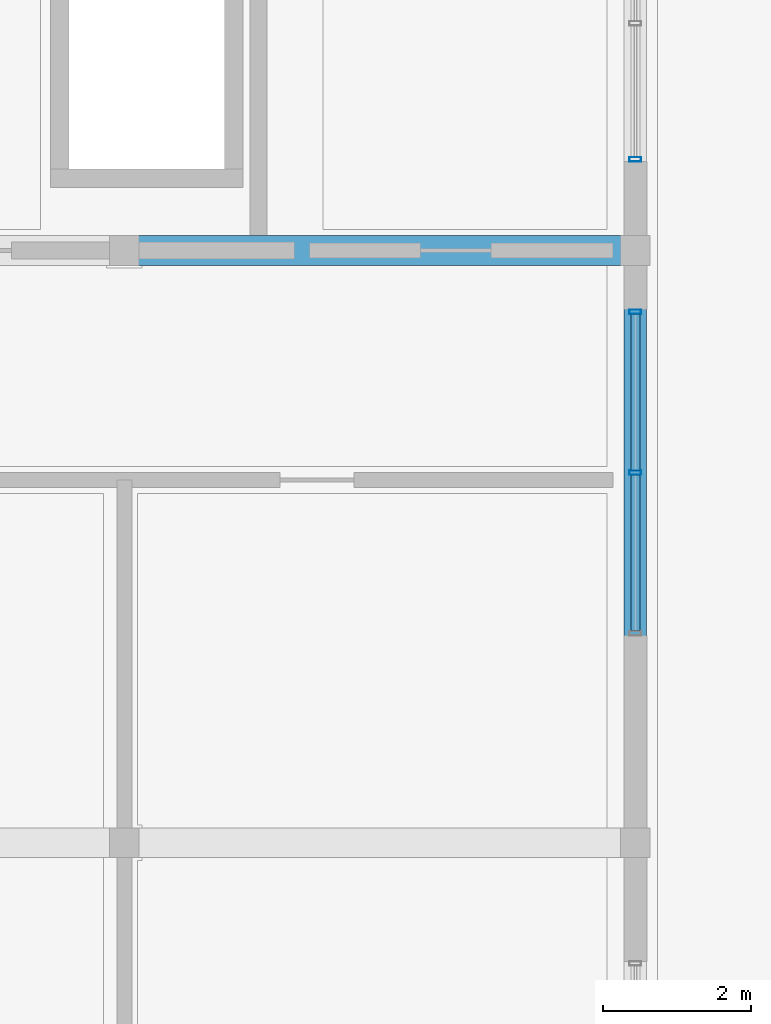
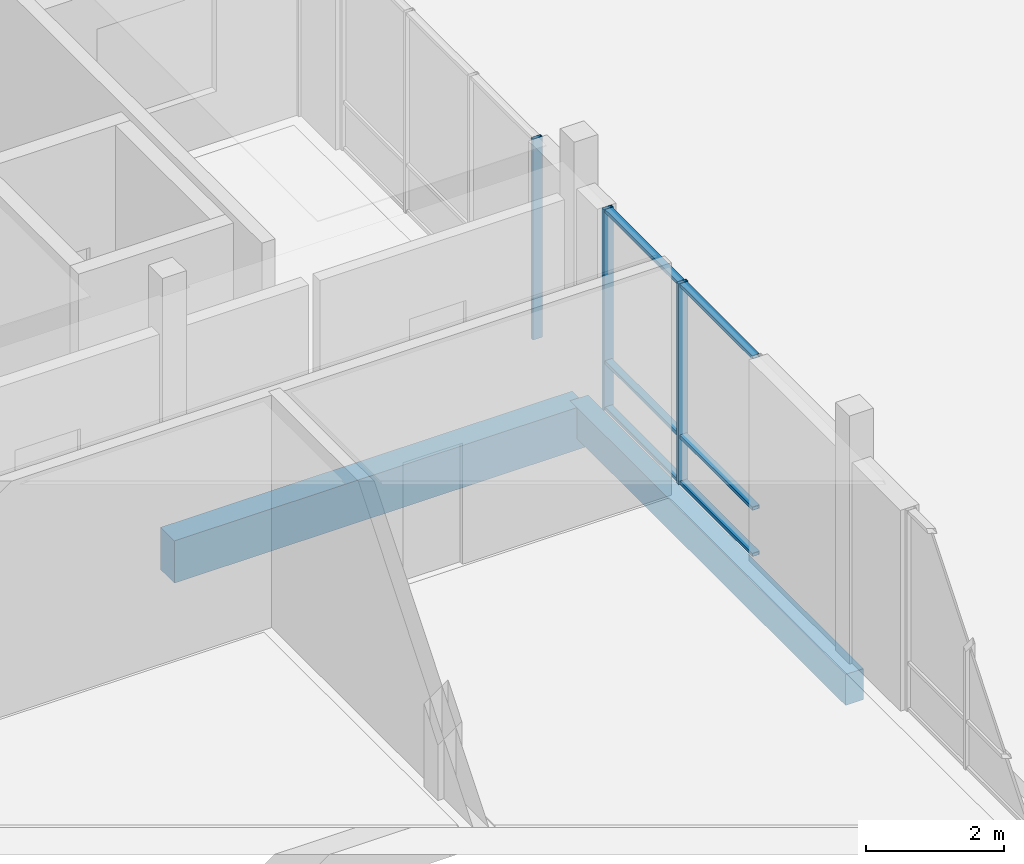
# One storey, part 88 of 233: 9 members, 2 beams, 2 elements without a shape of their own.
"""IFC4 building model written with IfcOpenShell, lengths in metres."""

from ifc_helpers import new_model, si_unit, direction, frame, origin, origin_2d, place, context, subcontext, project, spatial, rectangle, hollow_rectangle, extrude, material, material_profile, profile_set, type_object, element, aggregate, save


model = new_model("IFC4")

# Units and contexts
model_context = context("Model", 3, precision=1e-05, world=origin(), true_north=direction((0.0, 1.0)))
body_context = subcontext(model_context, "Body", "Model", "MODEL_VIEW")
ifc_project = project(units=[si_unit("LENGTHUNIT", "METRE"), si_unit("AREAUNIT", "SQUARE_METRE"), si_unit("VOLUMEUNIT", "CUBIC_METRE"), si_unit("PLANEANGLEUNIT", "RADIAN"), si_unit("MASSUNIT", "GRAM", prefix="KILO")], contexts=[model_context])

# Site, building, storey
site_placement = place(None, origin())
site = spatial("IfcSite", under=ifc_project, at=site_placement, CompositionType="ELEMENT")
building_placement = place(site_placement, origin())
building = spatial("IfcBuilding", under=site, at=building_placement, Name="Zavelmont Quarter", CompositionType="ELEMENT")
storey_placement = place(building_placement, origin())
storey = spatial("IfcBuildingStorey", under=building, at=storey_placement, Name="L00", CompositionType="ELEMENT", Elevation=0.0)

# Beams
ifc_material_1 = material(Name="Concrete C35/45", Category="concrete")
ifc_material_profile_1 = material_profile(ifc_material_1, rectangle(XDim=0.300048828125, YDim=0.550048828125, at=origin_2d()), Name="RC300X550")
ifc_profile_set_1 = profile_set([ifc_material_profile_1], Name="Concrete C35/45")
beam_type_1 = type_object("IfcBeamType", Name="BM02", PredefinedType="SPANDREL", material=ifc_profile_set_1)
beam_1_placement = place(storey_placement, frame((20.699951171875, 70.0, -0.594970703125), z_axis=(0.0, 1.0, 0.0), x_axis=(-1.0, 0.0, 0.0)))
element("IfcBeam", 1, at=beam_1_placement, inside=storey, type_object=beam_type_1, Name="L00 beam BM02 4/L to 4/M", PredefinedType="SPANDREL", context=body_context, shape_type="SweptSolid", body=[
    extrude(rectangle(XDim=0.300048828125, YDim=0.550048828125, at=origin_2d()), origin(), (0.0, 0.0, 1.0), 8.0),
])
ifc_material_2 = material(Name="Concrete C40/50", Category="concrete")
ifc_material_profile_2 = material_profile(ifc_material_2, rectangle(XDim=0.39990234375, YDim=0.75, at=origin_2d()), Name="RC400X750")
ifc_profile_set_2 = profile_set([ifc_material_profile_2], Name="Concrete C40/50")
beam_type_2 = type_object("IfcBeamType", Name="BM05", PredefinedType="BEAM", material=ifc_profile_set_2)
beam_2_placement = place(storey_placement, frame((13.800048828125, 78.0, -0.695068359375), z_axis=(1.0, 0.0, 0.0), x_axis=(0.0, 1.0, 0.0)))
element("IfcBeam", 2, at=beam_2_placement, inside=storey, type_object=beam_type_2, Name="L00 beam BM05 3/M to 4/M", PredefinedType="BEAM", context=body_context, shape_type="SweptSolid", body=[
    extrude(rectangle(XDim=0.39990234375, YDim=0.75, at=origin_2d()), origin(), (0.0, 0.0, 1.0), 6.89990234375),
])

# Curtain wall, members
ifc_material_3 = material(Name="Thermally broken aluminium and double low-E safety glazing", Category="aluminium")
curtain_wall_type_1 = type_object("IfcCurtainWallType", Name="CW-440X356", PredefinedType="NOTDEFINED", material=ifc_material_3)
curtain_wall_1_placement = place(storey_placement, origin())
curtain_wall_1 = element("IfcCurtainWall", 3, at=curtain_wall_1_placement, inside=storey, type_object=curtain_wall_type_1, Name="L00 unitised curtain wall CW-440X356", PredefinedType="NOTDEFINED")
ifc_material_4 = material(Name="Powder-coated aluminium EN AW-6063-T6", Category="aluminium")
ifc_material_profile_3 = material_profile(ifc_material_4, hollow_rectangle(XDim=0.06005859375, YDim=0.159912109375, WallThickness=0.00390625, at=origin_2d()), Name="CWM60X160")
ifc_profile_set_3 = profile_set([ifc_material_profile_3], Name="Powder-coated aluminium EN AW-6063-T6")
member_type_1 = type_object("IfcMemberType", Name="CWM01", PredefinedType="MULLION", material=ifc_profile_set_3)
member_1_placement = place(storey_placement, frame((20.699951171875, 75.0, 0.0), z_axis=(0.0, 0.0, 1.0), x_axis=(0.0, 1.0, 0.0)))
member_1 = element("IfcMember", 4, at=member_1_placement, type_object=member_type_1, Name="CW-440X356 mullion 2", PredefinedType="MULLION", context=body_context, shape_type="SweptSolid", body=[
    extrude(hollow_rectangle(XDim=0.06005859375, YDim=0.159912109375, WallThickness=0.00390625, at=origin_2d()), origin(), (0.0, 0.0, 1.0), 3.56005859375),
])
member_2_placement = place(storey_placement, frame((20.699951171875, 77.169921875, 0.0), z_axis=(0.0, 0.0, 1.0), x_axis=(0.0, 1.0, 0.0)))
member_2 = element("IfcMember", 5, at=member_2_placement, type_object=member_type_1, Name="CW-440X356 mullion 3", PredefinedType="MULLION", context=body_context, shape_type="SweptSolid", body=[
    extrude(hollow_rectangle(XDim=0.06005859375, YDim=0.159912109375, WallThickness=0.00390625, at=origin_2d()), origin(), (0.0, 0.0, 1.0), 3.56005859375),
])

# Curtain wall, member
curtain_wall_type_2 = type_object("IfcCurtainWallType", Name="CW-560X356", PredefinedType="NOTDEFINED", material=ifc_material_3)
curtain_wall_2_placement = place(storey_placement, origin())
curtain_wall_2 = element("IfcCurtainWall", 6, at=curtain_wall_2_placement, inside=storey, type_object=curtain_wall_type_2, Name="L00 unitised curtain wall CW-560X356", PredefinedType="NOTDEFINED")
member_3_placement = place(storey_placement, frame((20.699951171875, 79.22998046875, 0.0), z_axis=(0.0, 0.0, 1.0), x_axis=(0.0, 1.0, 0.0)))
member_3 = element("IfcMember", 7, at=member_3_placement, type_object=member_type_1, Name="CW-560X356 mullion 1", PredefinedType="MULLION", context=body_context, shape_type="SweptSolid", body=[
    extrude(hollow_rectangle(XDim=0.06005859375, YDim=0.159912109375, WallThickness=0.00390625, at=origin_2d()), origin(), (0.0, 0.0, 1.0), 3.56005859375),
])
aggregate(curtain_wall_2, [member_3])

# Member
ifc_material_profile_4 = material_profile(ifc_material_4, hollow_rectangle(XDim=0.1201171875, YDim=0.06005859375, WallThickness=0.00390625, at=origin_2d()), Name="CWT60X120")
ifc_profile_set_4 = profile_set([ifc_material_profile_4], Name="Powder-coated aluminium EN AW-6063-T6")
member_type_2 = type_object("IfcMemberType", Name="CWT01", PredefinedType="NOTDEFINED", material=ifc_profile_set_4)
member_4_placement = place(storey_placement, frame((20.699951171875, 72.860107421875, 0.030029296875), z_axis=(0.0, 1.0, 0.0), x_axis=(-1.0, 0.0, 0.0)))
member_4 = element("IfcMember", 8, at=member_4_placement, type_object=member_type_2, Name="CW-440X356 transom 1.1", ObjectType="TRANSOM", PredefinedType="USERDEFINED", context=body_context, shape_type="SweptSolid", body=[
    extrude(hollow_rectangle(XDim=0.1201171875, YDim=0.06005859375, WallThickness=0.00390625, at=origin_2d()), origin(), (0.0, 0.0, 1.0), 2.10986328125),
])

member_5_placement = place(storey_placement, frame((20.699951171875, 72.860107421875, 0.85009765625), z_axis=(0.0, 1.0, 0.0), x_axis=(-1.0, 0.0, 0.0)))
member_5 = element("IfcMember", 9, at=member_5_placement, type_object=member_type_2, Name="CW-440X356 transom 1.2", ObjectType="TRANSOM", PredefinedType="USERDEFINED", context=body_context, shape_type="SweptSolid", body=[
    extrude(hollow_rectangle(XDim=0.1201171875, YDim=0.06005859375, WallThickness=0.00390625, at=origin_2d()), origin(), (0.0, 0.0, 1.0), 2.10986328125),
])

member_6_placement = place(storey_placement, frame((20.699951171875, 72.860107421875, 3.530029296875), z_axis=(0.0, 1.0, 0.0), x_axis=(-1.0, 0.0, 0.0)))
member_6 = element("IfcMember", 10, at=member_6_placement, type_object=member_type_2, Name="CW-440X356 transom 1.3", ObjectType="TRANSOM", PredefinedType="USERDEFINED", context=body_context, shape_type="SweptSolid", body=[
    extrude(hollow_rectangle(XDim=0.1201171875, YDim=0.06005859375, WallThickness=0.00390625, at=origin_2d()), origin(), (0.0, 0.0, 1.0), 2.10986328125),
])

member_7_placement = place(storey_placement, frame((20.699951171875, 75.030029296875, 0.030029296875), z_axis=(0.0, 1.0, 0.0), x_axis=(-1.0, 0.0, 0.0)))
member_7 = element("IfcMember", 11, at=member_7_placement, type_object=member_type_2, Name="CW-440X356 transom 2.1", ObjectType="TRANSOM", PredefinedType="USERDEFINED", context=body_context, shape_type="SweptSolid", body=[
    extrude(hollow_rectangle(XDim=0.1201171875, YDim=0.06005859375, WallThickness=0.00390625, at=origin_2d()), origin(), (0.0, 0.0, 1.0), 2.10986328125),
])

member_8_placement = place(storey_placement, frame((20.699951171875, 75.030029296875, 0.85009765625), z_axis=(0.0, 1.0, 0.0), x_axis=(-1.0, 0.0, 0.0)))
member_8 = element("IfcMember", 12, at=member_8_placement, type_object=member_type_2, Name="CW-440X356 transom 2.2", ObjectType="TRANSOM", PredefinedType="USERDEFINED", context=body_context, shape_type="SweptSolid", body=[
    extrude(hollow_rectangle(XDim=0.1201171875, YDim=0.06005859375, WallThickness=0.00390625, at=origin_2d()), origin(), (0.0, 0.0, 1.0), 2.10986328125),
])

member_9_placement = place(storey_placement, frame((20.699951171875, 75.030029296875, 3.530029296875), z_axis=(0.0, 1.0, 0.0), x_axis=(-1.0, 0.0, 0.0)))
member_9 = element("IfcMember", 13, at=member_9_placement, type_object=member_type_2, Name="CW-440X356 transom 2.3", ObjectType="TRANSOM", PredefinedType="USERDEFINED", context=body_context, shape_type="SweptSolid", body=[
    extrude(hollow_rectangle(XDim=0.1201171875, YDim=0.06005859375, WallThickness=0.00390625, at=origin_2d()), origin(), (0.0, 0.0, 1.0), 2.10986328125),
])

aggregate(curtain_wall_1, [member_1, member_2, member_4, member_5, member_6, member_7, member_8, member_9])

save(model, "model.ifc")
